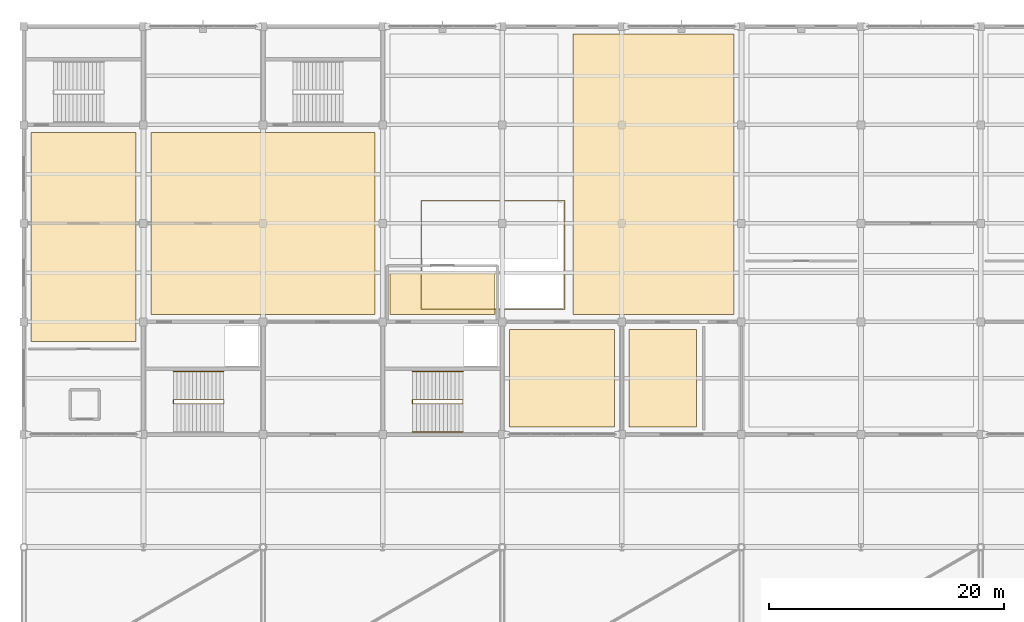
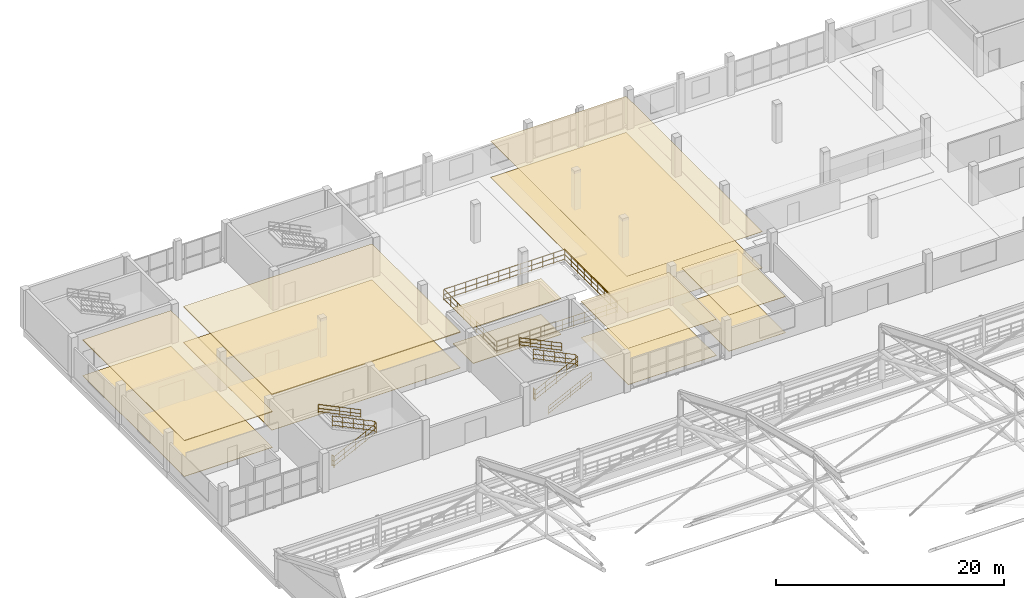
# One storey, part 131 of 135: 12 coverings, 8 railings.
"""IFC4 building model written with IfcOpenShell, lengths in metres."""

from ifc_helpers import new_model, si_unit, direction, frame, origin, origin_2d, place, context, subcontext, project, spatial, polyline, circle, outline, extrude, material, layer, layer_set, type_object, element, save


model = new_model("IFC4")

# Units and contexts
model_context = context("Model", 3, precision=1e-05, world=origin(), true_north=direction((0.0, 1.0)))
body_context = subcontext(model_context, "Body", "Model", "MODEL_VIEW")
ifc_project = project(units=[si_unit("LENGTHUNIT", "METRE"), si_unit("AREAUNIT", "SQUARE_METRE"), si_unit("VOLUMEUNIT", "CUBIC_METRE"), si_unit("PLANEANGLEUNIT", "RADIAN"), si_unit("MASSUNIT", "GRAM", prefix="KILO")], contexts=[model_context])

# Site, building, storey
site_placement = place(None, origin())
site = spatial("IfcSite", under=ifc_project, at=site_placement, CompositionType="ELEMENT")
building_placement = place(site_placement, origin())
building = spatial("IfcBuilding", under=site, at=building_placement, Name="Brelvane Convention Centre", CompositionType="ELEMENT")
storey_placement = place(building_placement, frame((0.0, 0.0, 15.0)))
storey = spatial("IfcBuildingStorey", under=building, at=storey_placement, Name="L03", CompositionType="ELEMENT", Elevation=15.0)

# Coverings
ifc_material_1 = material(Name="Perforated Anodised Aluminium Alloy 6063 Acoustic Baffle", Category="aluminium")
ifc_layer_1 = layer(ifc_material_1, 0.074951171875)
ifc_layer_set_1 = layer_set([ifc_layer_1], Name="Perforated Anodised Aluminium Alloy 6063 Acoustic Baffle")
covering_type_1 = type_object("IfcCoveringType", Name="Interior Finish CL-BAF-75", PredefinedType="CEILING", material=ifc_layer_set_1)
covering_1_placement = place(storey_placement, frame((0.0, 0.0, 3.820068359375)))
element("IfcCovering", 1, at=covering_1_placement, inside=storey, type_object=covering_type_1, Name="Workshop Studio 402 Acoustic Ceiling (CL-BAF-75)", PredefinedType="CEILING", context=body_context, shape_type="SweptSolid", body=[
    extrude(outline(polyline([(0.6298828125, 117.1298828125), (9.570068359375, 117.1298828125), (9.570068359375, 134.969970703125), (0.6298828125, 134.969970703125), (0.6298828125, 117.1298828125)])), origin(), (0.0, 0.0, 1.0), 0.074951171875),
])
ifc_material_2 = material(Name="Perforated Anodised Aluminium Alloy 6063 Acoustic Baffle", Category="aluminium")
ifc_layer_2 = layer(ifc_material_2, 0.090087890625)
ifc_layer_set_2 = layer_set([ifc_layer_2], Name="Perforated Anodised Aluminium Alloy 6063 Acoustic Baffle")
covering_type_2 = type_object("IfcCoveringType", Name="Interior Finish CL-BAF-90", PredefinedType="CEILING", material=ifc_layer_set_2)
covering_2_placement = place(storey_placement, frame((0.0, 0.0, 3.804931640625)))
element("IfcCovering", 2, at=covering_2_placement, inside=storey, type_object=covering_type_2, Name="Executive Boardroom Acoustic Ceiling (CL-BAF-90)", PredefinedType="CEILING", context=body_context, shape_type="SweptSolid", body=[
    extrude(outline(polyline([(10.830078125, 119.429931640625), (29.969970703125, 119.429931640625), (29.969970703125, 134.969970703125), (10.830078125, 134.969970703125), (10.830078125, 119.429931640625)])), origin(), (0.0, 0.0, 1.0), 0.090087890625),
])
ifc_material_3 = material(Name="Moisture-Resistant Acoustic Gypsum Ceiling Tile Grade A")
ifc_layer_3 = layer(ifc_material_3, 0.01806640625)
ifc_layer_set_3 = layer_set([ifc_layer_3], Name="Moisture-Resistant Acoustic Gypsum Ceiling Tile Grade A")
covering_type_3 = type_object("IfcCoveringType", Name="Interior Finish CL-GYP-18", PredefinedType="CEILING", material=ifc_layer_set_3)
covering_3_placement = place(storey_placement, frame((0.0, 0.0, 3.89208984375)))
element("IfcCovering", 3, at=covering_3_placement, inside=storey, type_object=covering_type_3, Name="Meeting Room 404 Acoustic Ceiling (CL-GYP-18)", PredefinedType="CEILING", context=body_context, shape_type="SweptSolid", body=[
    extrude(outline(polyline([(46.830078125, 119.429931640625), (60.570068359375, 119.429931640625), (60.570068359375, 143.3701171875), (46.830078125, 143.3701171875), (46.830078125, 119.429931640625)])), origin(), (0.0, 0.0, 1.0), 0.017822265625),
])
ifc_material_4 = material(Name="Moisture-Resistant Acoustic Gypsum Ceiling Tile Grade A")
ifc_layer_4 = layer(ifc_material_4, 0.02490234375)
ifc_layer_set_4 = layer_set([ifc_layer_4], Name="Moisture-Resistant Acoustic Gypsum Ceiling Tile Grade A")
covering_type_4 = type_object("IfcCoveringType", Name="Interior Finish CL-GYP-25", PredefinedType="CEILING", material=ifc_layer_set_4)
covering_4_placement = place(storey_placement, frame((0.0, 0.0, 3.885009765625)))
element("IfcCovering", 4, at=covering_4_placement, inside=storey, type_object=covering_type_4, Name="Level 3 Male Restroom Acoustic Ceiling (CL-GYP-25)", PredefinedType="CEILING", context=body_context, shape_type="SweptSolid", body=[
    extrude(outline(polyline([(41.429931640625, 109.830078125), (50.3701171875, 109.830078125), (50.3701171875, 118.169921875), (41.429931640625, 118.169921875), (41.429931640625, 109.830078125)])), origin(), (0.0, 0.0, 1.0), 0.02490234375),
])
ifc_material_5 = material(Name="Moisture-Resistant Acoustic Gypsum Ceiling Tile Grade A")
ifc_layer_5 = layer(ifc_material_5, 0.033935546875)
ifc_layer_set_5 = layer_set([ifc_layer_5], Name="Moisture-Resistant Acoustic Gypsum Ceiling Tile Grade A")
covering_type_5 = type_object("IfcCoveringType", Name="Interior Finish CL-GYP-34", PredefinedType="CEILING", material=ifc_layer_set_5)
covering_5_placement = place(storey_placement, frame((0.0, 0.0, 3.8759765625)))
element("IfcCovering", 5, at=covering_5_placement, inside=storey, type_object=covering_type_5, Name="Level 3 Female Restroom Acoustic Ceiling (CL-GYP-34)", PredefinedType="CEILING", context=body_context, shape_type="SweptSolid", body=[
    extrude(outline(polyline([(51.6298828125, 109.830078125), (57.3701171875, 109.830078125), (57.3701171875, 118.169921875), (51.6298828125, 118.169921875), (51.6298828125, 109.830078125)])), origin(), (0.0, 0.0, 1.0), 0.033935546875),
])
ifc_material_6 = material(Name="Moisture-Resistant Acoustic Gypsum Ceiling Tile Grade A")
ifc_layer_6 = layer(ifc_material_6, 0.0419921875)
ifc_layer_set_6 = layer_set([ifc_layer_6], Name="Moisture-Resistant Acoustic Gypsum Ceiling Tile Grade A")
covering_type_6 = type_object("IfcCoveringType", Name="Interior Finish CL-GYP-42", PredefinedType="CEILING", material=ifc_layer_set_6)
covering_6_placement = place(storey_placement, frame((0.0, 0.0, 3.85302734375)))
element("IfcCovering", 6, at=covering_6_placement, inside=storey, type_object=covering_type_6, Name="Firefighting Lift Lobby C7 Acoustic Ceiling (CL-GYP-42)", PredefinedType="CEILING", context=body_context, shape_type="SweptSolid", body=[
    extrude(outline(polyline([(31.22998046875, 119.429931640625), (40.169921875, 119.429931640625), (40.169921875, 122.969970703125), (31.22998046875, 122.969970703125), (31.22998046875, 119.429931640625)])), origin(), (0.0, 0.0, 1.0), 0.0419921875),
])
ifc_material_7 = material(Name="Solution-Dyed Heavy Contract Wool Carpet Class 1")
ifc_layer_7 = layer(ifc_material_7, 0.02197265625)
ifc_layer_set_7 = layer_set([ifc_layer_7], Name="Solution-Dyed Heavy Contract Wool Carpet Class 1")
covering_type_7 = type_object("IfcCoveringType", Name="Interior Finish FL-CPT-22", PredefinedType="FLOORING", material=ifc_layer_set_7)
covering_7_placement = place(storey_placement, origin())
element("IfcCovering", 7, at=covering_7_placement, inside=storey, type_object=covering_type_7, Name="Meeting Room 404 Floor Finish (FL-CPT-22)", PredefinedType="FLOORING", context=body_context, shape_type="SweptSolid", body=[
    extrude(outline(polyline([(46.830078125, 119.429931640625), (60.570068359375, 119.429931640625), (60.570068359375, 143.3701171875), (46.830078125, 143.3701171875), (46.830078125, 119.429931640625)])), origin(), (0.0, 0.0, 1.0), 0.02197265625),
])
ifc_material_8 = material(Name="Solution-Dyed Heavy Contract Wool Carpet Class 1")
ifc_layer_8 = layer(ifc_material_8, 0.028076171875)
ifc_layer_set_8 = layer_set([ifc_layer_8], Name="Solution-Dyed Heavy Contract Wool Carpet Class 1")
covering_type_8 = type_object("IfcCoveringType", Name="Interior Finish FL-CPT-28", PredefinedType="FLOORING", material=ifc_layer_set_8)
covering_8_placement = place(storey_placement, origin())
element("IfcCovering", 8, at=covering_8_placement, inside=storey, type_object=covering_type_8, Name="Level 3 Male Restroom Floor Finish (FL-CPT-28)", PredefinedType="FLOORING", context=body_context, shape_type="SweptSolid", body=[
    extrude(outline(polyline([(41.429931640625, 109.830078125), (50.3701171875, 109.830078125), (50.3701171875, 118.169921875), (41.429931640625, 118.169921875), (41.429931640625, 109.830078125)])), origin(), (0.0, 0.0, 1.0), 0.028076171875),
])
ifc_material_9 = material(Name="Heavy-Duty Quartz-Filled Industrial Epoxy Screed Grade A")
ifc_layer_9 = layer(ifc_material_9, 0.034912109375)
ifc_layer_set_9 = layer_set([ifc_layer_9], Name="Heavy-Duty Quartz-Filled Industrial Epoxy Screed Grade A")
covering_type_9 = type_object("IfcCoveringType", Name="Interior Finish FL-EPX-35", PredefinedType="FLOORING", material=ifc_layer_set_9)
covering_9_placement = place(storey_placement, origin())
element("IfcCovering", 9, at=covering_9_placement, inside=storey, type_object=covering_type_9, Name="Executive Boardroom Floor Finish (FL-EPX-35)", PredefinedType="FLOORING", context=body_context, shape_type="SweptSolid", body=[
    extrude(outline(polyline([(10.830078125, 119.429931640625), (29.969970703125, 119.429931640625), (29.969970703125, 134.969970703125), (10.830078125, 134.969970703125), (10.830078125, 119.429931640625)])), origin(), (0.0, 0.0, 1.0), 0.034912109375),
])
ifc_material_10 = material(Name="Polished Basalt-Aggregate Terrazzo Screed Concrete M30", Category="masonry")
ifc_layer_10 = layer(ifc_material_10, 0.031982421875)
ifc_layer_set_10 = layer_set([ifc_layer_10], Name="Polished Basalt-Aggregate Terrazzo Screed Concrete M30")
covering_type_10 = type_object("IfcCoveringType", Name="Interior Finish FL-STN-32", PredefinedType="FLOORING", material=ifc_layer_set_10)
covering_10_placement = place(storey_placement, origin())
element("IfcCovering", 10, at=covering_10_placement, inside=storey, type_object=covering_type_10, Name="Level 3 Female Restroom Floor Finish (FL-STN-32)", PredefinedType="FLOORING", context=body_context, shape_type="SweptSolid", body=[
    extrude(outline(polyline([(51.6298828125, 109.830078125), (57.3701171875, 109.830078125), (57.3701171875, 118.169921875), (51.6298828125, 118.169921875), (51.6298828125, 109.830078125)])), origin(), (0.0, 0.0, 1.0), 0.031982421875),
])
ifc_material_11 = material(Name="Polished Basalt-Aggregate Terrazzo Screed Concrete M30", Category="masonry")
ifc_layer_11 = layer(ifc_material_11, 0.054931640625)
ifc_layer_set_11 = layer_set([ifc_layer_11], Name="Polished Basalt-Aggregate Terrazzo Screed Concrete M30")
covering_type_11 = type_object("IfcCoveringType", Name="Interior Finish FL-STN-55", PredefinedType="FLOORING", material=ifc_layer_set_11)
covering_11_placement = place(storey_placement, origin())
element("IfcCovering", 11, at=covering_11_placement, inside=storey, type_object=covering_type_11, Name="Firefighting Lift Lobby C7 Floor Finish (FL-STN-55)", PredefinedType="FLOORING", context=body_context, shape_type="SweptSolid", body=[
    extrude(outline(polyline([(31.22998046875, 119.429931640625), (40.169921875, 119.429931640625), (40.169921875, 122.969970703125), (31.22998046875, 122.969970703125), (31.22998046875, 119.429931640625)])), origin(), (0.0, 0.0, 1.0), 0.054931640625),
])
ifc_material_12 = material(Name="Polished Basalt-Aggregate Terrazzo Screed Concrete M30", Category="masonry")
ifc_layer_12 = layer(ifc_material_12, 0.050048828125)
ifc_layer_set_12 = layer_set([ifc_layer_12], Name="Polished Basalt-Aggregate Terrazzo Screed Concrete M30")
covering_type_12 = type_object("IfcCoveringType", Name="Interior Finish FL-TER-50", PredefinedType="FLOORING", material=ifc_layer_set_12)
covering_12_placement = place(storey_placement, origin())
element("IfcCovering", 12, at=covering_12_placement, inside=storey, type_object=covering_type_12, Name="Workshop Studio 402 Floor Finish (FL-TER-50)", PredefinedType="FLOORING", context=body_context, shape_type="SweptSolid", body=[
    extrude(outline(polyline([(0.6298828125, 117.1298828125), (9.570068359375, 117.1298828125), (9.570068359375, 134.969970703125), (0.6298828125, 134.969970703125), (0.6298828125, 117.1298828125)])), origin(), (0.0, 0.0, 1.0), 0.050048828125),
])

# Railings
ifc_material_13 = material(Name="Steel E350 (350 MPa)", Category="steel")
railing_type_1 = type_object("IfcRailingType", Name="Railing BL-ATR-2", PredefinedType="BALUSTRADE", material=ifc_material_13)
railing_1_placement = place(storey_placement, frame((33.8798828125, 119.8798828125, 0.0)))
element("IfcRailing", 13, at=railing_1_placement, inside=storey, type_object=railing_type_1, Name="Railing BL-ATR-2 L03-atrium_well_08", PredefinedType="BALUSTRADE", context=body_context, shape_type="SweptSolid", body=[
    extrude(circle(Radius=0.02392578125, at=origin_2d()), frame((0.0, 0.0, 1.19580078125), z_axis=(1.0, 0.0, 0.0), x_axis=(0.0, 1.0, 0.0)), (0.0, 0.0, 1.0), 12.240234375),
    extrude(circle(Radius=0.02392578125, at=origin_2d()), frame((0.0, 0.0, 0.63427734375), z_axis=(1.0, 0.0, 0.0), x_axis=(0.0, 1.0, 0.0)), (0.0, 0.0, 1.0), 12.240234375),
    extrude(circle(Radius=0.02392578125, at=origin_2d()), frame((0.0, 0.0, 0.139892578125), z_axis=(1.0, 0.0, 0.0), x_axis=(0.0, 1.0, 0.0)), (0.0, 0.0, 1.0), 12.240234375),
    extrude(circle(Radius=0.02392578125, at=origin_2d()), frame((12.240234375, 0.0, 1.19580078125), z_axis=(0.0, 1.0, 0.0), x_axis=(-1.0, 0.0, 0.0)), (0.0, 0.0, 1.0), 9.240234375),
    extrude(circle(Radius=0.02392578125, at=origin_2d()), frame((12.240234375, 0.0, 0.63427734375), z_axis=(0.0, 1.0, 0.0), x_axis=(-1.0, 0.0, 0.0)), (0.0, 0.0, 1.0), 9.240234375),
    extrude(circle(Radius=0.02392578125, at=origin_2d()), frame((12.240234375, 0.0, 0.139892578125), z_axis=(0.0, 1.0, 0.0), x_axis=(-1.0, 0.0, 0.0)), (0.0, 0.0, 1.0), 9.240234375),
    extrude(circle(Radius=0.02392578125, at=origin_2d()), frame((12.240234375, 9.240234375, 1.19580078125), z_axis=(-1.0, 0.0, 0.0), x_axis=(0.0, -1.0, 0.0)), (0.0, 0.0, 1.0), 12.240234375),
    extrude(circle(Radius=0.02392578125, at=origin_2d()), frame((12.240234375, 9.240234375, 0.63427734375), z_axis=(-1.0, 0.0, 0.0), x_axis=(0.0, -1.0, 0.0)), (0.0, 0.0, 1.0), 12.240234375),
    extrude(circle(Radius=0.02392578125, at=origin_2d()), frame((12.240234375, 9.240234375, 0.139892578125), z_axis=(-1.0, 0.0, 0.0), x_axis=(0.0, -1.0, 0.0)), (0.0, 0.0, 1.0), 12.240234375),
    extrude(circle(Radius=0.02392578125, at=origin_2d()), frame((0.0, 9.240234375, 1.19580078125), z_axis=(0.0, -1.0, 0.0), x_axis=(1.0, 0.0, 0.0)), (0.0, 0.0, 1.0), 9.235107421875),
    extrude(circle(Radius=0.02392578125, at=origin_2d()), frame((0.0, 9.240234375, 0.63427734375), z_axis=(0.0, -1.0, 0.0), x_axis=(1.0, 0.0, 0.0)), (0.0, 0.0, 1.0), 9.235107421875),
    extrude(circle(Radius=0.02392578125, at=origin_2d()), frame((0.0, 9.240234375, 0.139892578125), z_axis=(0.0, -1.0, 0.0), x_axis=(1.0, 0.0, 0.0)), (0.0, 0.0, 1.0), 9.235107421875),
    extrude(circle(Radius=0.02099609375, at=origin_2d()), origin(), (0.0, 0.0, 1.0), 1.171875),
    extrude(circle(Radius=0.02099609375, at=origin_2d()), frame((1.11279296875, 0.0, 0.0)), (0.0, 0.0, 1.0), 1.171875),
    extrude(circle(Radius=0.02099609375, at=origin_2d()), frame((2.2255859375, 0.0, 0.0)), (0.0, 0.0, 1.0), 1.171875),
    extrude(circle(Radius=0.02099609375, at=origin_2d()), frame((3.338134765625, 0.0, 0.0)), (0.0, 0.0, 1.0), 1.171875),
    extrude(circle(Radius=0.02099609375, at=origin_2d()), frame((4.450927734375, 0.0, 0.0)), (0.0, 0.0, 1.0), 1.171875),
    extrude(circle(Radius=0.02099609375, at=origin_2d()), frame((5.563720703125, 0.0, 0.0)), (0.0, 0.0, 1.0), 1.171875),
    extrude(circle(Radius=0.02099609375, at=origin_2d()), frame((6.676513671875, 0.0, 0.0)), (0.0, 0.0, 1.0), 1.171875),
    extrude(circle(Radius=0.02099609375, at=origin_2d()), frame((7.789306640625, 0.0, 0.0)), (0.0, 0.0, 1.0), 1.171875),
    extrude(circle(Radius=0.02099609375, at=origin_2d()), frame((8.902099609375, 0.0, 0.0)), (0.0, 0.0, 1.0), 1.171875),
    extrude(circle(Radius=0.02099609375, at=origin_2d()), frame((10.0146484375, 0.0, 0.0)), (0.0, 0.0, 1.0), 1.171875),
    extrude(circle(Radius=0.02099609375, at=origin_2d()), frame((11.12744140625, 0.0, 0.0)), (0.0, 0.0, 1.0), 1.171875),
    extrude(circle(Radius=0.02099609375, at=origin_2d()), frame((12.240234375, 0.0, 0.0)), (0.0, 0.0, 1.0), 1.171875),
    extrude(circle(Radius=0.02099609375, at=origin_2d()), frame((12.240234375, 1.155029296875, 0.0)), (0.0, 0.0, 1.0), 1.171875),
    extrude(circle(Radius=0.02099609375, at=origin_2d()), frame((12.240234375, 2.31005859375, 0.0)), (0.0, 0.0, 1.0), 1.171875),
    extrude(circle(Radius=0.02099609375, at=origin_2d()), frame((12.240234375, 3.465087890625, 0.0)), (0.0, 0.0, 1.0), 1.171875),
    extrude(circle(Radius=0.02099609375, at=origin_2d()), frame((12.240234375, 4.6201171875, 0.0)), (0.0, 0.0, 1.0), 1.171875),
    extrude(circle(Radius=0.02099609375, at=origin_2d()), frame((12.240234375, 5.775146484375, 0.0)), (0.0, 0.0, 1.0), 1.171875),
    extrude(circle(Radius=0.02099609375, at=origin_2d()), frame((12.240234375, 6.93017578125, 0.0)), (0.0, 0.0, 1.0), 1.171875),
    extrude(circle(Radius=0.02099609375, at=origin_2d()), frame((12.240234375, 8.085205078125, 0.0)), (0.0, 0.0, 1.0), 1.171875),
    extrude(circle(Radius=0.02099609375, at=origin_2d()), frame((12.240234375, 9.240234375, 0.0)), (0.0, 0.0, 1.0), 1.171875),
    extrude(circle(Radius=0.02099609375, at=origin_2d()), frame((11.12744140625, 9.240234375, 0.0)), (0.0, 0.0, 1.0), 1.171875),
    extrude(circle(Radius=0.02099609375, at=origin_2d()), frame((10.0146484375, 9.240234375, 0.0)), (0.0, 0.0, 1.0), 1.171875),
    extrude(circle(Radius=0.02099609375, at=origin_2d()), frame((8.902099609375, 9.240234375, 0.0)), (0.0, 0.0, 1.0), 1.171875),
    extrude(circle(Radius=0.02099609375, at=origin_2d()), frame((7.789306640625, 9.240234375, 0.0)), (0.0, 0.0, 1.0), 1.171875),
    extrude(circle(Radius=0.02099609375, at=origin_2d()), frame((6.676513671875, 9.240234375, 0.0)), (0.0, 0.0, 1.0), 1.171875),
    extrude(circle(Radius=0.02099609375, at=origin_2d()), frame((5.563720703125, 9.240234375, 0.0)), (0.0, 0.0, 1.0), 1.171875),
    extrude(circle(Radius=0.02099609375, at=origin_2d()), frame((4.450927734375, 9.240234375, 0.0)), (0.0, 0.0, 1.0), 1.171875),
    extrude(circle(Radius=0.02099609375, at=origin_2d()), frame((3.338134765625, 9.240234375, 0.0)), (0.0, 0.0, 1.0), 1.171875),
    extrude(circle(Radius=0.02099609375, at=origin_2d()), frame((2.2255859375, 9.240234375, 0.0)), (0.0, 0.0, 1.0), 1.171875),
    extrude(circle(Radius=0.02099609375, at=origin_2d()), frame((1.11279296875, 9.240234375, 0.0)), (0.0, 0.0, 1.0), 1.171875),
    extrude(circle(Radius=0.02099609375, at=origin_2d()), frame((0.0, 9.240234375, 0.0)), (0.0, 0.0, 1.0), 1.171875),
    extrude(circle(Radius=0.02099609375, at=origin_2d()), frame((0.0, 8.0859375, 0.0)), (0.0, 0.0, 1.0), 1.171875),
    extrude(circle(Radius=0.02099609375, at=origin_2d()), frame((0.0, 6.931396484375, 0.0)), (0.0, 0.0, 1.0), 1.171875),
    extrude(circle(Radius=0.02099609375, at=origin_2d()), frame((0.0, 5.777099609375, 0.0)), (0.0, 0.0, 1.0), 1.171875),
    extrude(circle(Radius=0.02099609375, at=origin_2d()), frame((0.0, 4.62255859375, 0.0)), (0.0, 0.0, 1.0), 1.171875),
    extrude(circle(Radius=0.02099609375, at=origin_2d()), frame((0.0, 3.46826171875, 0.0)), (0.0, 0.0, 1.0), 1.171875),
    extrude(circle(Radius=0.02099609375, at=origin_2d()), frame((0.0, 2.31396484375, 0.0)), (0.0, 0.0, 1.0), 1.171875),
    extrude(circle(Radius=0.02099609375, at=origin_2d()), frame((0.0, 1.159423828125, 0.0)), (0.0, 0.0, 1.0), 1.171875),
    extrude(circle(Radius=0.02099609375, at=origin_2d()), frame((0.0, 0.005126953125, 0.0)), (0.0, 0.0, 1.0), 1.171875),
])
ifc_material_14 = material(Name="Steel E350 (350 MPa)", Category="steel")
railing_type_2 = type_object("IfcRailingType", Name="Stair Railing GR-ST-1", PredefinedType="GUARDRAIL", material=ifc_material_14)
railing_2_placement = place(storey_placement, frame((12.75, 111.840087890625, -0.02001953125)))
element("IfcRailing", 14, at=railing_2_placement, inside=storey, type_object=railing_type_2, Name="Stair ST-06 L03 Inner Well Guard", PredefinedType="GUARDRAIL", context=body_context, shape_type="SweptSolid", body=[
    extrude(circle(Radius=0.02392578125, at=origin_2d()), frame((0.0, 0.0, 1.1259765625), z_axis=(0.896499061709, 0.0, 0.443045632363), x_axis=(0.0, 1.0, 0.0)), (0.0, 0.0, 1.0), 4.785400390625),
    extrude(circle(Radius=0.02392578125, at=origin_2d()), frame((0.0, 0.0, 0.597900390625), z_axis=(0.896499061709, 0.0, 0.443045632363), x_axis=(0.0, 1.0, 0.0)), (0.0, 0.0, 1.0), 4.785400390625),
    extrude(circle(Radius=0.02392578125, at=origin_2d()), frame((0.0, 0.0, 0.139892578125), z_axis=(0.896499061709, 0.0, 0.443045632363), x_axis=(0.0, 1.0, 0.0)), (0.0, 0.0, 1.0), 4.785400390625),
    extrude(circle(Radius=0.02392578125, at=origin_2d()), frame((4.2900390625, 0.0, 3.24609375), z_axis=(0.0, 1.0, 0.0), x_axis=(-1.0, 0.0, 0.0)), (0.0, 0.0, 1.0), 0.31982421875),
    extrude(circle(Radius=0.02392578125, at=origin_2d()), frame((4.2900390625, 0.0, 2.718017578125), z_axis=(0.0, 1.0, 0.0), x_axis=(-1.0, 0.0, 0.0)), (0.0, 0.0, 1.0), 0.31982421875),
    extrude(circle(Radius=0.02392578125, at=origin_2d()), frame((4.2900390625, 0.0, 2.260009765625), z_axis=(0.0, 1.0, 0.0), x_axis=(-1.0, 0.0, 0.0)), (0.0, 0.0, 1.0), 0.31982421875),
    extrude(circle(Radius=0.02392578125, at=origin_2d()), frame((4.2900390625, 0.31982421875, 3.24609375), z_axis=(-0.899829335833, 0.0, 0.43624209606), x_axis=(0.0, -1.0, 0.0)), (0.0, 0.0, 1.0), 4.767578125),
    extrude(circle(Radius=0.02392578125, at=origin_2d()), frame((4.2900390625, 0.31982421875, 2.718017578125), z_axis=(-0.899829335833, 0.0, 0.43624209606), x_axis=(0.0, -1.0, 0.0)), (0.0, 0.0, 1.0), 4.767578125),
    extrude(circle(Radius=0.02392578125, at=origin_2d()), frame((4.2900390625, 0.31982421875, 2.260009765625), z_axis=(-0.899829335833, 0.0, 0.43624209606), x_axis=(0.0, -1.0, 0.0)), (0.0, 0.0, 1.0), 4.767578125),
    extrude(circle(Radius=0.02099609375, at=origin_2d()), origin(), (0.0, 0.0, 1.0), 1.101806640625),
    extrude(circle(Radius=0.02099609375, at=origin_2d()), frame((1.072509765625, 0.0, 0.530029296875)), (0.0, 0.0, 1.0), 1.101806640625),
    extrude(circle(Radius=0.02099609375, at=origin_2d()), frame((2.14501953125, 0.0, 1.06005859375)), (0.0, 0.0, 1.0), 1.101806640625),
    extrude(circle(Radius=0.02099609375, at=origin_2d()), frame((3.217529296875, 0.0, 1.590087890625)), (0.0, 0.0, 1.0), 1.101806640625),
    extrude(circle(Radius=0.02099609375, at=origin_2d()), frame((4.2900390625, 0.0, 2.1201171875)), (0.0, 0.0, 1.0), 1.101806640625),
    extrude(circle(Radius=0.02099609375, at=origin_2d()), frame((4.2900390625, 0.31982421875, 2.1201171875)), (0.0, 0.0, 1.0), 1.101806640625),
    extrude(circle(Radius=0.02099609375, at=origin_2d()), frame((3.217529296875, 0.31982421875, 2.64013671875)), (0.0, 0.0, 1.0), 1.101806640625),
    extrude(circle(Radius=0.02099609375, at=origin_2d()), frame((2.14501953125, 0.31982421875, 3.16015625)), (0.0, 0.0, 1.0), 1.101806640625),
    extrude(circle(Radius=0.02099609375, at=origin_2d()), frame((1.072509765625, 0.31982421875, 3.679931640625)), (0.0, 0.0, 1.0), 1.101806640625),
    extrude(circle(Radius=0.02099609375, at=origin_2d()), frame((0.0, 0.31982421875, 4.199951171875)), (0.0, 0.0, 1.0), 1.101806640625),
])
railing_3_placement = place(storey_placement, frame((33.14990234375, 111.840087890625, -0.02001953125)))
element("IfcRailing", 15, at=railing_3_placement, inside=storey, type_object=railing_type_2, Name="Stair ST-07 L03 Inner Well Guard", PredefinedType="GUARDRAIL", context=body_context, shape_type="SweptSolid", body=[
    extrude(circle(Radius=0.02392578125, at=origin_2d()), frame((0.0, 0.0, 1.1259765625), z_axis=(0.896499061709, 0.0, 0.443045632363), x_axis=(0.0, 1.0, 0.0)), (0.0, 0.0, 1.0), 4.785400390625),
    extrude(circle(Radius=0.02392578125, at=origin_2d()), frame((0.0, 0.0, 0.597900390625), z_axis=(0.896499061709, 0.0, 0.443045632363), x_axis=(0.0, 1.0, 0.0)), (0.0, 0.0, 1.0), 4.785400390625),
    extrude(circle(Radius=0.02392578125, at=origin_2d()), frame((0.0, 0.0, 0.139892578125), z_axis=(0.896499061709, 0.0, 0.443045632363), x_axis=(0.0, 1.0, 0.0)), (0.0, 0.0, 1.0), 4.785400390625),
    extrude(circle(Radius=0.02392578125, at=origin_2d()), frame((4.2900390625, 0.0, 3.24609375), z_axis=(0.0, 1.0, 0.0), x_axis=(-1.0, 0.0, 0.0)), (0.0, 0.0, 1.0), 0.31982421875),
    extrude(circle(Radius=0.02392578125, at=origin_2d()), frame((4.2900390625, 0.0, 2.718017578125), z_axis=(0.0, 1.0, 0.0), x_axis=(-1.0, 0.0, 0.0)), (0.0, 0.0, 1.0), 0.31982421875),
    extrude(circle(Radius=0.02392578125, at=origin_2d()), frame((4.2900390625, 0.0, 2.260009765625), z_axis=(0.0, 1.0, 0.0), x_axis=(-1.0, 0.0, 0.0)), (0.0, 0.0, 1.0), 0.31982421875),
    extrude(circle(Radius=0.02392578125, at=origin_2d()), frame((4.2900390625, 0.31982421875, 3.24609375), z_axis=(-0.899829335833, 0.0, 0.43624209606), x_axis=(0.0, -1.0, 0.0)), (0.0, 0.0, 1.0), 4.767578125),
    extrude(circle(Radius=0.02392578125, at=origin_2d()), frame((4.2900390625, 0.31982421875, 2.718017578125), z_axis=(-0.899829335833, 0.0, 0.43624209606), x_axis=(0.0, -1.0, 0.0)), (0.0, 0.0, 1.0), 4.767578125),
    extrude(circle(Radius=0.02392578125, at=origin_2d()), frame((4.2900390625, 0.31982421875, 2.260009765625), z_axis=(-0.899829335833, 0.0, 0.43624209606), x_axis=(0.0, -1.0, 0.0)), (0.0, 0.0, 1.0), 4.767578125),
    extrude(circle(Radius=0.02099609375, at=origin_2d()), origin(), (0.0, 0.0, 1.0), 1.101806640625),
    extrude(circle(Radius=0.02099609375, at=origin_2d()), frame((1.072509765625, 0.0, 0.530029296875)), (0.0, 0.0, 1.0), 1.101806640625),
    extrude(circle(Radius=0.02099609375, at=origin_2d()), frame((2.14501953125, 0.0, 1.06005859375)), (0.0, 0.0, 1.0), 1.101806640625),
    extrude(circle(Radius=0.02099609375, at=origin_2d()), frame((3.217529296875, 0.0, 1.590087890625)), (0.0, 0.0, 1.0), 1.101806640625),
    extrude(circle(Radius=0.02099609375, at=origin_2d()), frame((4.2900390625, 0.0, 2.1201171875)), (0.0, 0.0, 1.0), 1.101806640625),
    extrude(circle(Radius=0.02099609375, at=origin_2d()), frame((4.2900390625, 0.31982421875, 2.1201171875)), (0.0, 0.0, 1.0), 1.101806640625),
    extrude(circle(Radius=0.02099609375, at=origin_2d()), frame((3.217529296875, 0.31982421875, 2.64013671875)), (0.0, 0.0, 1.0), 1.101806640625),
    extrude(circle(Radius=0.02099609375, at=origin_2d()), frame((2.14501953125, 0.31982421875, 3.16015625)), (0.0, 0.0, 1.0), 1.101806640625),
    extrude(circle(Radius=0.02099609375, at=origin_2d()), frame((1.072509765625, 0.31982421875, 3.679931640625)), (0.0, 0.0, 1.0), 1.101806640625),
    extrude(circle(Radius=0.02099609375, at=origin_2d()), frame((0.0, 0.31982421875, 4.199951171875)), (0.0, 0.0, 1.0), 1.101806640625),
])
ifc_material_15 = material(Name="Steel E350 (350 MPa)", Category="steel")
railing_type_3 = type_object("IfcRailingType", Name="Stair Railing GR-ST-2", PredefinedType="GUARDRAIL", material=ifc_material_15)
for number, where, name in (
    (16, (12.75, 111.840087890625, -0.02001953125), "Stair ST-06 L03 Landing Well Guard"),
    (17, (33.14990234375, 111.840087890625, -0.02001953125), "Stair ST-07 L03 Landing Well Guard"),
):
    element("IfcRailing", number, at=place(storey_placement, frame(where)), inside=storey, type_object=railing_type_3, Name=name, PredefinedType="GUARDRAIL", context=body_context, shape_type="SweptSolid", body=[
        extrude(circle(Radius=0.02392578125, at=origin_2d()), frame((0.0, 0.0, 1.15576171875), z_axis=(0.0, 1.0, 0.0), x_axis=(-1.0, 0.0, 0.0)), (0.0, 0.0, 1.0), 0.31982421875),
        extrude(circle(Radius=0.02392578125, at=origin_2d()), frame((0.0, 0.0, 0.613525390625), z_axis=(0.0, 1.0, 0.0), x_axis=(-1.0, 0.0, 0.0)), (0.0, 0.0, 1.0), 0.31982421875),
        extrude(circle(Radius=0.02392578125, at=origin_2d()), frame((0.0, 0.0, 0.139892578125), z_axis=(0.0, 1.0, 0.0), x_axis=(-1.0, 0.0, 0.0)), (0.0, 0.0, 1.0), 0.31982421875),
        extrude(circle(Radius=0.02099609375, at=origin_2d()), origin(), (0.0, 0.0, 1.0), 1.1318359375),
        extrude(circle(Radius=0.02099609375, at=origin_2d()), frame((0.0, 0.31982421875, 0.0)), (0.0, 0.0, 1.0), 1.1318359375),
    ])
ifc_material_16 = material(Name="Steel E350 (350 MPa)", Category="steel")
railing_type_4 = type_object("IfcRailingType", Name="Stair Railing HR-ST-1", PredefinedType="HANDRAIL", material=ifc_material_16)
railing_4_placement = place(storey_placement, frame((17.0400390625, 114.570068359375, 2.10009765625)))
element("IfcRailing", 18, at=railing_4_placement, inside=storey, type_object=railing_type_4, Name="Stair ST-06 L03 Outer Handrail F2", PredefinedType="HANDRAIL", context=body_context, shape_type="SweptSolid", body=[
    extrude(circle(Radius=0.02392578125, at=origin_2d()), frame((0.0, 0.0, 0.89599609375), z_axis=(-0.899829335833, 0.0, 0.43624209606), x_axis=(0.0, -1.0, 0.0)), (0.0, 0.0, 1.0), 4.767578125),
    extrude(circle(Radius=0.02392578125, at=origin_2d()), frame((0.0, 0.0, 0.478271484375), z_axis=(-0.899829335833, 0.0, 0.43624209606), x_axis=(0.0, -1.0, 0.0)), (0.0, 0.0, 1.0), 4.767578125),
    extrude(circle(Radius=0.02392578125, at=origin_2d()), frame((0.0, 0.0, 0.139892578125), z_axis=(-0.899829335833, 0.0, 0.43624209606), x_axis=(0.0, -1.0, 0.0)), (0.0, 0.0, 1.0), 4.767578125),
    extrude(circle(Radius=0.02099609375, at=origin_2d()), origin(), (0.0, 0.0, 1.0), 0.871826171875),
    extrude(circle(Radius=0.02099609375, at=origin_2d()), frame((-1.072509765625, 0.0, 0.52001953125)), (0.0, 0.0, 1.0), 0.871826171875),
    extrude(circle(Radius=0.02099609375, at=origin_2d()), frame((-2.14501953125, 0.0, 1.0400390625)), (0.0, 0.0, 1.0), 0.871826171875),
    extrude(circle(Radius=0.02099609375, at=origin_2d()), frame((-3.217529296875, 0.0, 1.559814453125)), (0.0, 0.0, 1.0), 0.871826171875),
    extrude(circle(Radius=0.02099609375, at=origin_2d()), frame((-4.2900390625, 0.0, 2.079833984375)), (0.0, 0.0, 1.0), 0.871826171875),
])
railing_5_placement = place(storey_placement, frame((33.14990234375, 109.429931640625, -0.02001953125)))
element("IfcRailing", 19, at=railing_5_placement, inside=storey, type_object=railing_type_4, Name="Stair ST-07 L03 Outer Handrail F1", PredefinedType="HANDRAIL", context=body_context, shape_type="SweptSolid", body=[
    extrude(circle(Radius=0.02392578125, at=origin_2d()), frame((0.0, 0.0, 0.89599609375), z_axis=(0.896499061709, 0.0, 0.443045632363), x_axis=(0.0, 1.0, 0.0)), (0.0, 0.0, 1.0), 4.785400390625),
    extrude(circle(Radius=0.02392578125, at=origin_2d()), frame((0.0, 0.0, 0.478271484375), z_axis=(0.896499061709, 0.0, 0.443045632363), x_axis=(0.0, 1.0, 0.0)), (0.0, 0.0, 1.0), 4.785400390625),
    extrude(circle(Radius=0.02392578125, at=origin_2d()), frame((0.0, 0.0, 0.139892578125), z_axis=(0.896499061709, 0.0, 0.443045632363), x_axis=(0.0, 1.0, 0.0)), (0.0, 0.0, 1.0), 4.785400390625),
    extrude(circle(Radius=0.02099609375, at=origin_2d()), origin(), (0.0, 0.0, 1.0), 0.871826171875),
    extrude(circle(Radius=0.02099609375, at=origin_2d()), frame((1.072509765625, 0.0, 0.530029296875)), (0.0, 0.0, 1.0), 0.871826171875),
    extrude(circle(Radius=0.02099609375, at=origin_2d()), frame((2.14501953125, 0.0, 1.06005859375)), (0.0, 0.0, 1.0), 0.871826171875),
    extrude(circle(Radius=0.02099609375, at=origin_2d()), frame((3.217529296875, 0.0, 1.590087890625)), (0.0, 0.0, 1.0), 0.871826171875),
    extrude(circle(Radius=0.02099609375, at=origin_2d()), frame((4.2900390625, 0.0, 2.1201171875)), (0.0, 0.0, 1.0), 0.871826171875),
])
railing_6_placement = place(storey_placement, frame((37.43994140625, 114.570068359375, 2.10009765625)))
element("IfcRailing", 20, at=railing_6_placement, inside=storey, type_object=railing_type_4, Name="Stair ST-07 L03 Outer Handrail F2", PredefinedType="HANDRAIL", context=body_context, shape_type="SweptSolid", body=[
    extrude(circle(Radius=0.02392578125, at=origin_2d()), frame((0.0, 0.0, 0.89599609375), z_axis=(-0.899829335833, 0.0, 0.43624209606), x_axis=(0.0, -1.0, 0.0)), (0.0, 0.0, 1.0), 4.767578125),
    extrude(circle(Radius=0.02392578125, at=origin_2d()), frame((0.0, 0.0, 0.478271484375), z_axis=(-0.899829335833, 0.0, 0.43624209606), x_axis=(0.0, -1.0, 0.0)), (0.0, 0.0, 1.0), 4.767578125),
    extrude(circle(Radius=0.02392578125, at=origin_2d()), frame((0.0, 0.0, 0.139892578125), z_axis=(-0.899829335833, 0.0, 0.43624209606), x_axis=(0.0, -1.0, 0.0)), (0.0, 0.0, 1.0), 4.767578125),
    extrude(circle(Radius=0.02099609375, at=origin_2d()), origin(), (0.0, 0.0, 1.0), 0.871826171875),
    extrude(circle(Radius=0.02099609375, at=origin_2d()), frame((-1.072509765625, 0.0, 0.52001953125)), (0.0, 0.0, 1.0), 0.871826171875),
    extrude(circle(Radius=0.02099609375, at=origin_2d()), frame((-2.14501953125, 0.0, 1.0400390625)), (0.0, 0.0, 1.0), 0.871826171875),
    extrude(circle(Radius=0.02099609375, at=origin_2d()), frame((-3.217529296875, 0.0, 1.559814453125)), (0.0, 0.0, 1.0), 0.871826171875),
    extrude(circle(Radius=0.02099609375, at=origin_2d()), frame((-4.2900390625, 0.0, 2.079833984375)), (0.0, 0.0, 1.0), 0.871826171875),
])

save(model, "model.ifc")
